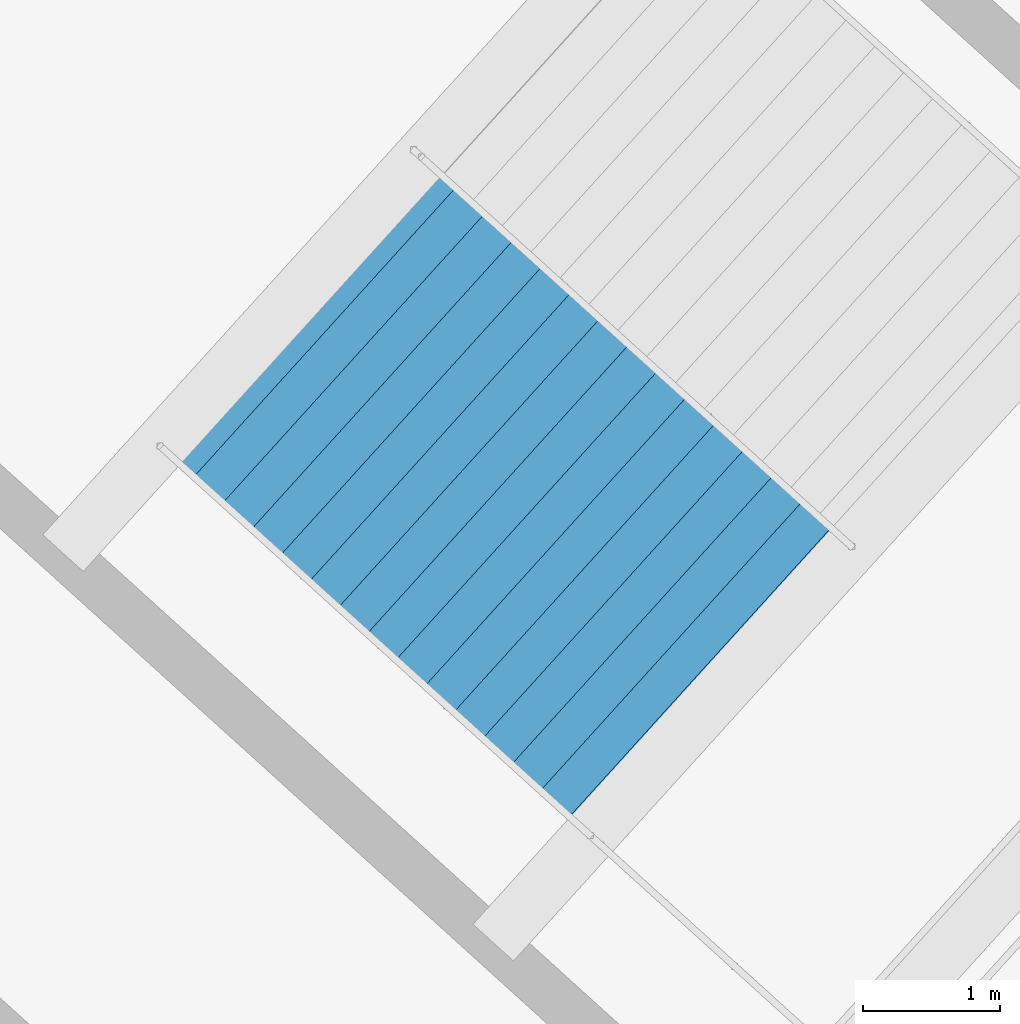
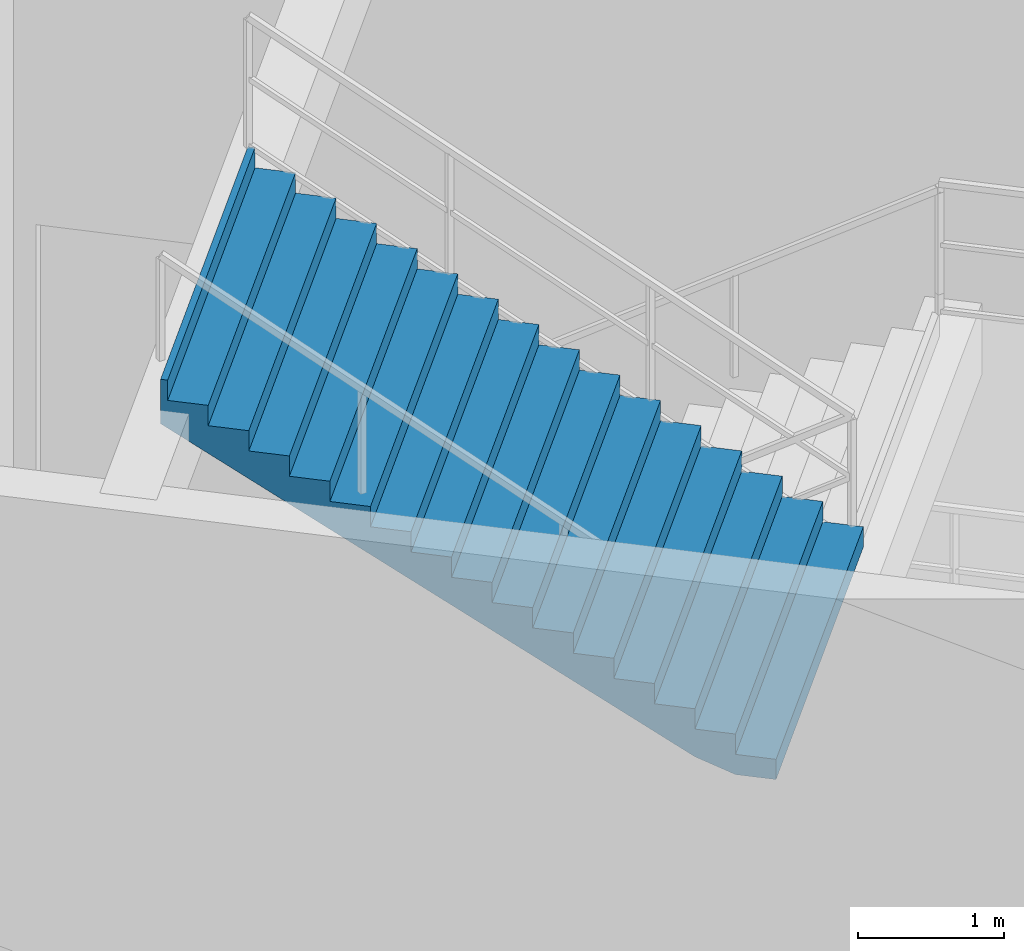
# One storey, part 140 of 186: 1 stair flight, 1 element without a shape of its own.
"""IFC4 building model written with IfcOpenShell, lengths in metres."""

from ifc_helpers import new_model, si_unit, direction, frame, origin, place, context, subcontext, project, spatial, polygons, material, type_object, element, aggregate, save


model = new_model("IFC4")

# Units and contexts
model_context = context("Model", 3, precision=1e-05, world=origin(), true_north=direction((0.0, 1.0)))
body_context = subcontext(model_context, "Body", "Model", "MODEL_VIEW")
ifc_project = project(units=[si_unit("LENGTHUNIT", "METRE"), si_unit("AREAUNIT", "SQUARE_METRE"), si_unit("VOLUMEUNIT", "CUBIC_METRE"), si_unit("PLANEANGLEUNIT", "RADIAN"), si_unit("MASSUNIT", "GRAM", prefix="KILO")], contexts=[model_context])

# Site, building, storey
site_placement = place(None, origin())
site = spatial("IfcSite", under=ifc_project, at=site_placement, CompositionType="ELEMENT")
building_placement = place(site_placement, origin())
building = spatial("IfcBuilding", under=site, at=building_placement, Name="Kazemori Nagisa Stadium", CompositionType="ELEMENT")
storey_placement = place(building_placement, frame((0.0, 0.0, 20.39990234375)))
storey = spatial("IfcBuildingStorey", under=building, at=storey_placement, Name="L04", CompositionType="ELEMENT", Elevation=20.39990234375)

# Stair, stair flight
ifc_material = material(Name="Concrete C36/45 (Fc36)", Category="concrete")
stair_type = type_object("IfcStairType", Name="Stair_CORE_32", PredefinedType="TWO_STRAIGHT_RUN_STAIR", material=ifc_material)
stair_placement = place(storey_placement, origin())
stair = element("IfcStair", 1, at=stair_placement, inside=storey, type_object=stair_type, Name="Exit stair ST03 L04", PredefinedType="TWO_STRAIGHT_RUN_STAIR")
stair_flight_type = type_object("IfcStairFlightType", Name="Flight_CORE_16", PredefinedType="STRAIGHT", material=ifc_material)
stair_flight_placement = place(storey_placement, frame((55.4609375, 42.593994140625, 2.72021484375), z_axis=(0.0, 0.0, 1.0), x_axis=(-0.741357156534, 0.671110696127, 0.0)))
stair_flight = element("IfcStairFlight", 2, at=stair_flight_placement, type_object=stair_flight_type, Name="Exit stair ST03 L04 flight 2", NumberOfRisers=16, NumberOfTreads=15, PredefinedType="STRAIGHT", RiserHeight=0.17, TreadLength=0.285, context=body_context, shape_type="Tessellation", body=[
    polygons([(0.0, -1.425048828125, 0.0), (0.0, -1.425048828125, 0.169921875), (0.284912109375, -1.425048828125, 0.169921875), (0.284912109375, -1.425048828125, 0.340087890625), (0.570068359375, -1.425048828125, 0.340087890625), (0.570068359375, -1.425048828125, 0.510009765625), (0.85498046875, -1.425048828125, 0.510009765625), (0.85498046875, -1.425048828125, 0.679931640625), (1.139892578125, -1.425048828125, 0.679931640625), (1.139892578125, -1.425048828125, 0.85009765625), (1.425048828125, -1.425048828125, 0.85009765625), (1.425048828125, -1.425048828125, 1.02001953125), (1.7099609375, -1.425048828125, 1.02001953125), (1.7099609375, -1.425048828125, 1.18994140625), (1.9951171875, -1.425048828125, 1.18994140625), (1.9951171875, -1.425048828125, 1.360107421875), (2.280029296875, -1.425048828125, 1.360107421875), (2.280029296875, -1.425048828125, 1.530029296875), (2.56494140625, -1.425048828125, 1.530029296875), (2.56494140625, -1.425048828125, 1.699951171875), (2.85009765625, -1.425048828125, 1.699951171875), (2.85009765625, -1.425048828125, 1.8701171875), (3.135009765625, -1.425048828125, 1.8701171875), (3.135009765625, -1.425048828125, 2.0400390625), (3.419921875, -1.425048828125, 2.0400390625), (3.419921875, -1.425048828125, 2.2099609375), (3.705078125, -1.425048828125, 2.2099609375), (3.705078125, -1.425048828125, 2.3798828125), (3.989990234375, -1.425048828125, 2.3798828125), (3.989990234375, -1.425048828125, 2.550048828125), (4.27490234375, -1.425048828125, 2.550048828125), (4.27490234375, -1.425048828125, 2.719970703125), (4.324951171875, -1.425048828125, 2.719970703125), (4.324951171875, -1.425048828125, 2.346923828125), (4.27490234375, -1.425048828125, 2.317138671875), (3.989990234375, -1.425048828125, 2.147216796875), (3.705078125, -1.425048828125, 1.977294921875), (3.419921875, -1.425048828125, 1.80712890625), (3.135009765625, -1.425048828125, 1.63720703125), (2.85009765625, -1.425048828125, 1.46728515625), (2.56494140625, -1.425048828125, 1.297119140625), (2.280029296875, -1.425048828125, 1.127197265625), (1.9951171875, -1.425048828125, 0.957275390625), (1.7099609375, -1.425048828125, 0.787109375), (1.425048828125, -1.425048828125, 0.6171875), (1.139892578125, -1.425048828125, 0.447265625), (0.85498046875, -1.425048828125, 0.277099609375), (0.570068359375, -1.425048828125, 0.107177734375), (0.284912109375, -1.425048828125, 0.0), (0.0, -0.08544921875, 0.0), (0.0, -0.08544921875, 0.169921875), (0.284912109375, -0.08544921875, 0.169921875), (0.284912109375, -0.08544921875, 0.340087890625), (0.570068359375, -0.08544921875, 0.340087890625), (0.570068359375, -0.08544921875, 0.510009765625), (0.85498046875, -0.08544921875, 0.510009765625), (0.85498046875, -0.08544921875, 0.679931640625), (1.139892578125, -0.08544921875, 0.679931640625), (1.139892578125, -0.08544921875, 0.85009765625), (1.425048828125, -0.08544921875, 0.85009765625), (1.425048828125, -0.08544921875, 1.02001953125), (1.7099609375, -0.08544921875, 1.02001953125), (1.7099609375, -0.08544921875, 1.18994140625), (1.9951171875, -0.08544921875, 1.18994140625), (1.9951171875, -0.08544921875, 1.360107421875), (2.280029296875, -0.08544921875, 1.360107421875), (2.280029296875, -0.08544921875, 1.530029296875), (2.56494140625, -0.08544921875, 1.530029296875), (2.56494140625, -0.08544921875, 1.699951171875), (2.85009765625, -0.08544921875, 1.699951171875), (2.85009765625, -0.08544921875, 1.8701171875), (3.135009765625, -0.08544921875, 1.8701171875), (3.135009765625, -0.08544921875, 2.0400390625), (3.419921875, -0.08544921875, 2.0400390625), (3.419921875, -0.08544921875, 2.2099609375), (3.705078125, -0.08544921875, 2.2099609375), (3.705078125, -0.08544921875, 2.3798828125), (3.989990234375, -0.08544921875, 2.3798828125), (3.989990234375, -0.08544921875, 2.550048828125), (4.27490234375, -0.08544921875, 2.550048828125), (4.27490234375, -0.08544921875, 2.719970703125), (4.324951171875, -0.08544921875, 2.719970703125), (4.324951171875, -0.08544921875, 2.346923828125), (4.27490234375, -0.08544921875, 2.317138671875), (3.989990234375, -0.08544921875, 2.147216796875), (3.705078125, -0.08544921875, 1.977294921875), (3.419921875, -0.08544921875, 1.80712890625), (3.135009765625, -0.08544921875, 1.63720703125), (2.85009765625, -0.08544921875, 1.46728515625), (2.56494140625, -0.08544921875, 1.297119140625), (2.280029296875, -0.08544921875, 1.127197265625), (1.9951171875, -0.08544921875, 0.957275390625), (1.7099609375, -0.08544921875, 0.787109375), (1.425048828125, -0.08544921875, 0.6171875), (1.139892578125, -0.08544921875, 0.447265625), (0.85498046875, -0.08544921875, 0.277099609375), (0.570068359375, -0.08544921875, 0.107177734375), (0.284912109375, -0.08544921875, 0.0), (0.0, 0.0, 0.0), (0.0, 0.0, 0.169921875), (0.284912109375, 0.0, 0.169921875), (0.284912109375, 0.0, 0.340087890625), (0.570068359375, 0.0, 0.340087890625), (0.570068359375, 0.0, 0.510009765625), (0.85498046875, 0.0, 0.510009765625), (0.85498046875, 0.0, 0.679931640625), (1.139892578125, 0.0, 0.679931640625), (1.139892578125, 0.0, 0.85009765625), (1.425048828125, 0.0, 0.85009765625), (1.425048828125, 0.0, 1.02001953125), (1.7099609375, 0.0, 1.02001953125), (1.7099609375, 0.0, 1.18994140625), (1.9951171875, 0.0, 1.18994140625), (1.9951171875, 0.0, 1.360107421875), (2.280029296875, 0.0, 1.360107421875), (2.280029296875, 0.0, 1.530029296875), (2.56494140625, 0.0, 1.530029296875), (2.56494140625, 0.0, 1.699951171875), (2.85009765625, 0.0, 1.699951171875), (2.85009765625, 0.0, 1.8701171875), (3.135009765625, 0.0, 1.8701171875), (3.135009765625, 0.0, 2.0400390625), (3.419921875, 0.0, 2.0400390625), (3.419921875, 0.0, 2.2099609375), (3.705078125, 0.0, 2.2099609375), (3.705078125, 0.0, 2.3798828125), (3.989990234375, 0.0, 2.3798828125), (3.989990234375, 0.0, 2.550048828125), (4.27490234375, 0.0, 2.550048828125), (4.27490234375, 0.0, 2.719970703125), (4.324951171875, 0.0, 2.719970703125), (4.324951171875, 0.0, 2.346923828125), (4.27490234375, 0.0, 2.317138671875), (3.989990234375, 0.0, 2.147216796875), (3.705078125, 0.0, 1.977294921875), (3.419921875, 0.0, 1.80712890625), (3.135009765625, 0.0, 1.63720703125), (2.85009765625, 0.0, 1.46728515625), (2.56494140625, 0.0, 1.297119140625), (2.280029296875, 0.0, 1.127197265625), (1.9951171875, 0.0, 0.957275390625), (1.7099609375, 0.0, 0.787109375), (1.425048828125, 0.0, 0.6171875), (1.139892578125, 0.0, 0.447265625), (0.85498046875, 0.0, 0.277099609375), (0.570068359375, 0.0, 0.107177734375), (0.284912109375, 0.0, 0.0), (0.0, 0.08544921875, 0.0), (0.0, 0.08544921875, 0.169921875), (0.284912109375, 0.08544921875, 0.169921875), (0.284912109375, 0.08544921875, 0.340087890625), (0.570068359375, 0.08544921875, 0.340087890625), (0.570068359375, 0.08544921875, 0.510009765625), (0.85498046875, 0.08544921875, 0.510009765625), (0.85498046875, 0.08544921875, 0.679931640625), (1.139892578125, 0.08544921875, 0.679931640625), (1.139892578125, 0.08544921875, 0.85009765625), (1.425048828125, 0.08544921875, 0.85009765625), (1.425048828125, 0.08544921875, 1.02001953125), (1.7099609375, 0.08544921875, 1.02001953125), (1.7099609375, 0.08544921875, 1.18994140625), (1.9951171875, 0.08544921875, 1.18994140625), (1.9951171875, 0.08544921875, 1.360107421875), (2.280029296875, 0.08544921875, 1.360107421875), (2.280029296875, 0.08544921875, 1.530029296875), (2.56494140625, 0.08544921875, 1.530029296875), (2.56494140625, 0.08544921875, 1.699951171875), (2.85009765625, 0.08544921875, 1.699951171875), (2.85009765625, 0.08544921875, 1.8701171875), (3.135009765625, 0.08544921875, 1.8701171875), (3.135009765625, 0.08544921875, 2.0400390625), (3.419921875, 0.08544921875, 2.0400390625), (3.419921875, 0.08544921875, 2.2099609375), (3.705078125, 0.08544921875, 2.2099609375), (3.705078125, 0.08544921875, 2.3798828125), (3.989990234375, 0.08544921875, 2.3798828125), (3.989990234375, 0.08544921875, 2.550048828125), (4.27490234375, 0.08544921875, 2.550048828125), (4.27490234375, 0.08544921875, 2.719970703125), (4.324951171875, 0.08544921875, 2.719970703125), (4.324951171875, 0.08544921875, 2.346923828125), (4.27490234375, 0.08544921875, 2.317138671875), (3.989990234375, 0.08544921875, 2.147216796875), (3.705078125, 0.08544921875, 1.977294921875), (3.419921875, 0.08544921875, 1.80712890625), (3.135009765625, 0.08544921875, 1.63720703125), (2.85009765625, 0.08544921875, 1.46728515625), (2.56494140625, 0.08544921875, 1.297119140625), (2.280029296875, 0.08544921875, 1.127197265625), (1.9951171875, 0.08544921875, 0.957275390625), (1.7099609375, 0.08544921875, 0.787109375), (1.425048828125, 0.08544921875, 0.6171875), (1.139892578125, 0.08544921875, 0.447265625), (0.85498046875, 0.08544921875, 0.277099609375), (0.570068359375, 0.08544921875, 0.107177734375), (0.284912109375, 0.08544921875, 0.0), (0.0, 1.425048828125, 0.0), (0.0, 1.425048828125, 0.169921875), (0.284912109375, 1.425048828125, 0.169921875), (0.284912109375, 1.425048828125, 0.340087890625), (0.570068359375, 1.425048828125, 0.340087890625), (0.570068359375, 1.425048828125, 0.510009765625), (0.85498046875, 1.425048828125, 0.510009765625), (0.85498046875, 1.425048828125, 0.679931640625), (1.139892578125, 1.425048828125, 0.679931640625), (1.139892578125, 1.425048828125, 0.85009765625), (1.425048828125, 1.425048828125, 0.85009765625), (1.425048828125, 1.425048828125, 1.02001953125), (1.7099609375, 1.425048828125, 1.02001953125), (1.7099609375, 1.425048828125, 1.18994140625), (1.9951171875, 1.425048828125, 1.18994140625), (1.9951171875, 1.425048828125, 1.360107421875), (2.280029296875, 1.425048828125, 1.360107421875), (2.280029296875, 1.425048828125, 1.530029296875), (2.56494140625, 1.425048828125, 1.530029296875), (2.56494140625, 1.425048828125, 1.699951171875), (2.85009765625, 1.425048828125, 1.699951171875), (2.85009765625, 1.425048828125, 1.8701171875), (3.135009765625, 1.425048828125, 1.8701171875), (3.135009765625, 1.425048828125, 2.0400390625), (3.419921875, 1.425048828125, 2.0400390625), (3.419921875, 1.425048828125, 2.2099609375), (3.705078125, 1.425048828125, 2.2099609375), (3.705078125, 1.425048828125, 2.3798828125), (3.989990234375, 1.425048828125, 2.3798828125), (3.989990234375, 1.425048828125, 2.550048828125), (4.27490234375, 1.425048828125, 2.550048828125), (4.27490234375, 1.425048828125, 2.719970703125), (4.324951171875, 1.425048828125, 2.719970703125), (4.324951171875, 1.425048828125, 2.346923828125), (4.27490234375, 1.425048828125, 2.317138671875), (3.989990234375, 1.425048828125, 2.147216796875), (3.705078125, 1.425048828125, 1.977294921875), (3.419921875, 1.425048828125, 1.80712890625), (3.135009765625, 1.425048828125, 1.63720703125), (2.85009765625, 1.425048828125, 1.46728515625), (2.56494140625, 1.425048828125, 1.297119140625), (2.280029296875, 1.425048828125, 1.127197265625), (1.9951171875, 1.425048828125, 0.957275390625), (1.7099609375, 1.425048828125, 0.787109375), (1.425048828125, 1.425048828125, 0.6171875), (1.139892578125, 1.425048828125, 0.447265625), (0.85498046875, 1.425048828125, 0.277099609375), (0.570068359375, 1.425048828125, 0.107177734375), (0.284912109375, 1.425048828125, 0.0)], [[[1, 2, 51]], [[1, 51, 50]], [[2, 3, 52]], [[2, 52, 51]], [[3, 4, 53]], [[3, 53, 52]], [[4, 5, 54]], [[4, 54, 53]], [[5, 6, 55]], [[5, 55, 54]], [[6, 7, 56]], [[6, 56, 55]], [[7, 8, 57]], [[7, 57, 56]], [[8, 9, 58]], [[8, 58, 57]], [[9, 10, 59]], [[9, 59, 58]], [[10, 11, 60]], [[10, 60, 59]], [[11, 12, 61]], [[11, 61, 60]], [[12, 13, 62]], [[12, 62, 61]], [[13, 14, 63]], [[13, 63, 62]], [[14, 15, 64]], [[14, 64, 63]], [[15, 16, 65]], [[15, 65, 64]], [[16, 17, 66]], [[16, 66, 65]], [[17, 18, 67]], [[17, 67, 66]], [[18, 19, 68]], [[18, 68, 67]], [[19, 20, 69]], [[19, 69, 68]], [[20, 21, 70]], [[20, 70, 69]], [[21, 22, 71]], [[21, 71, 70]], [[22, 23, 72]], [[22, 72, 71]], [[23, 24, 73]], [[23, 73, 72]], [[24, 25, 74]], [[24, 74, 73]], [[25, 26, 75]], [[25, 75, 74]], [[26, 27, 76]], [[26, 76, 75]], [[27, 28, 77]], [[27, 77, 76]], [[28, 29, 78]], [[28, 78, 77]], [[29, 30, 79]], [[29, 79, 78]], [[30, 31, 80]], [[30, 80, 79]], [[31, 32, 81]], [[31, 81, 80]], [[32, 33, 82]], [[32, 82, 81]], [[33, 34, 83]], [[33, 83, 82]], [[34, 35, 84]], [[34, 84, 83]], [[35, 36, 85]], [[35, 85, 84]], [[36, 37, 86]], [[36, 86, 85]], [[37, 38, 87]], [[37, 87, 86]], [[38, 39, 88]], [[38, 88, 87]], [[39, 40, 89]], [[39, 89, 88]], [[40, 41, 90]], [[40, 90, 89]], [[41, 42, 91]], [[41, 91, 90]], [[42, 43, 92]], [[42, 92, 91]], [[43, 44, 93]], [[43, 93, 92]], [[44, 45, 94]], [[44, 94, 93]], [[45, 46, 95]], [[45, 95, 94]], [[46, 47, 96]], [[46, 96, 95]], [[47, 48, 97]], [[47, 97, 96]], [[48, 49, 98]], [[48, 98, 97]], [[49, 1, 50]], [[49, 50, 98]], [[50, 51, 100]], [[50, 100, 99]], [[51, 52, 101]], [[51, 101, 100]], [[52, 53, 102]], [[52, 102, 101]], [[53, 54, 103]], [[53, 103, 102]], [[54, 55, 104]], [[54, 104, 103]], [[55, 56, 105]], [[55, 105, 104]], [[56, 57, 106]], [[56, 106, 105]], [[57, 58, 107]], [[57, 107, 106]], [[58, 59, 108]], [[58, 108, 107]], [[59, 60, 109]], [[59, 109, 108]], [[60, 61, 110]], [[60, 110, 109]], [[61, 62, 111]], [[61, 111, 110]], [[62, 63, 112]], [[62, 112, 111]], [[63, 64, 113]], [[63, 113, 112]], [[64, 65, 114]], [[64, 114, 113]], [[65, 66, 115]], [[65, 115, 114]], [[66, 67, 116]], [[66, 116, 115]], [[67, 68, 117]], [[67, 117, 116]], [[68, 69, 118]], [[68, 118, 117]], [[69, 70, 119]], [[69, 119, 118]], [[70, 71, 120]], [[70, 120, 119]], [[71, 72, 121]], [[71, 121, 120]], [[72, 73, 122]], [[72, 122, 121]], [[73, 74, 123]], [[73, 123, 122]], [[74, 75, 124]], [[74, 124, 123]], [[75, 76, 125]], [[75, 125, 124]], [[76, 77, 126]], [[76, 126, 125]], [[77, 78, 127]], [[77, 127, 126]], [[78, 79, 128]], [[78, 128, 127]], [[79, 80, 129]], [[79, 129, 128]], [[80, 81, 130]], [[80, 130, 129]], [[81, 82, 131]], [[81, 131, 130]], [[82, 83, 132]], [[82, 132, 131]], [[83, 84, 133]], [[83, 133, 132]], [[84, 85, 134]], [[84, 134, 133]], [[85, 86, 135]], [[85, 135, 134]], [[86, 87, 136]], [[86, 136, 135]], [[87, 88, 137]], [[87, 137, 136]], [[88, 89, 138]], [[88, 138, 137]], [[89, 90, 139]], [[89, 139, 138]], [[90, 91, 140]], [[90, 140, 139]], [[91, 92, 141]], [[91, 141, 140]], [[92, 93, 142]], [[92, 142, 141]], [[93, 94, 143]], [[93, 143, 142]], [[94, 95, 144]], [[94, 144, 143]], [[95, 96, 145]], [[95, 145, 144]], [[96, 97, 146]], [[96, 146, 145]], [[97, 98, 147]], [[97, 147, 146]], [[98, 50, 99]], [[98, 99, 147]], [[99, 100, 149]], [[99, 149, 148]], [[100, 101, 150]], [[100, 150, 149]], [[101, 102, 151]], [[101, 151, 150]], [[102, 103, 152]], [[102, 152, 151]], [[103, 104, 153]], [[103, 153, 152]], [[104, 105, 154]], [[104, 154, 153]], [[105, 106, 155]], [[105, 155, 154]], [[106, 107, 156]], [[106, 156, 155]], [[107, 108, 157]], [[107, 157, 156]], [[108, 109, 158]], [[108, 158, 157]], [[109, 110, 159]], [[109, 159, 158]], [[110, 111, 160]], [[110, 160, 159]], [[111, 112, 161]], [[111, 161, 160]], [[112, 113, 162]], [[112, 162, 161]], [[113, 114, 163]], [[113, 163, 162]], [[114, 115, 164]], [[114, 164, 163]], [[115, 116, 165]], [[115, 165, 164]], [[116, 117, 166]], [[116, 166, 165]], [[117, 118, 167]], [[117, 167, 166]], [[118, 119, 168]], [[118, 168, 167]], [[119, 120, 169]], [[119, 169, 168]], [[120, 121, 170]], [[120, 170, 169]], [[121, 122, 171]], [[121, 171, 170]], [[122, 123, 172]], [[122, 172, 171]], [[123, 124, 173]], [[123, 173, 172]], [[124, 125, 174]], [[124, 174, 173]], [[125, 126, 175]], [[125, 175, 174]], [[126, 127, 176]], [[126, 176, 175]], [[127, 128, 177]], [[127, 177, 176]], [[128, 129, 178]], [[128, 178, 177]], [[129, 130, 179]], [[129, 179, 178]], [[130, 131, 180]], [[130, 180, 179]], [[131, 132, 181]], [[131, 181, 180]], [[132, 133, 182]], [[132, 182, 181]], [[133, 134, 183]], [[133, 183, 182]], [[134, 135, 184]], [[134, 184, 183]], [[135, 136, 185]], [[135, 185, 184]], [[136, 137, 186]], [[136, 186, 185]], [[137, 138, 187]], [[137, 187, 186]], [[138, 139, 188]], [[138, 188, 187]], [[139, 140, 189]], [[139, 189, 188]], [[140, 141, 190]], [[140, 190, 189]], [[141, 142, 191]], [[141, 191, 190]], [[142, 143, 192]], [[142, 192, 191]], [[143, 144, 193]], [[143, 193, 192]], [[144, 145, 194]], [[144, 194, 193]], [[145, 146, 195]], [[145, 195, 194]], [[146, 147, 196]], [[146, 196, 195]], [[147, 99, 148]], [[147, 148, 196]], [[148, 149, 198]], [[148, 198, 197]], [[149, 150, 199]], [[149, 199, 198]], [[150, 151, 200]], [[150, 200, 199]], [[151, 152, 201]], [[151, 201, 200]], [[152, 153, 202]], [[152, 202, 201]], [[153, 154, 203]], [[153, 203, 202]], [[154, 155, 204]], [[154, 204, 203]], [[155, 156, 205]], [[155, 205, 204]], [[156, 157, 206]], [[156, 206, 205]], [[157, 158, 207]], [[157, 207, 206]], [[158, 159, 208]], [[158, 208, 207]], [[159, 160, 209]], [[159, 209, 208]], [[160, 161, 210]], [[160, 210, 209]], [[161, 162, 211]], [[161, 211, 210]], [[162, 163, 212]], [[162, 212, 211]], [[163, 164, 213]], [[163, 213, 212]], [[164, 165, 214]], [[164, 214, 213]], [[165, 166, 215]], [[165, 215, 214]], [[166, 167, 216]], [[166, 216, 215]], [[167, 168, 217]], [[167, 217, 216]], [[168, 169, 218]], [[168, 218, 217]], [[169, 170, 219]], [[169, 219, 218]], [[170, 171, 220]], [[170, 220, 219]], [[171, 172, 221]], [[171, 221, 220]], [[172, 173, 222]], [[172, 222, 221]], [[173, 174, 223]], [[173, 223, 222]], [[174, 175, 224]], [[174, 224, 223]], [[175, 176, 225]], [[175, 225, 224]], [[176, 177, 226]], [[176, 226, 225]], [[177, 178, 227]], [[177, 227, 226]], [[178, 179, 228]], [[178, 228, 227]], [[179, 180, 229]], [[179, 229, 228]], [[180, 181, 230]], [[180, 230, 229]], [[181, 182, 231]], [[181, 231, 230]], [[182, 183, 232]], [[182, 232, 231]], [[183, 184, 233]], [[183, 233, 232]], [[184, 185, 234]], [[184, 234, 233]], [[185, 186, 235]], [[185, 235, 234]], [[186, 187, 236]], [[186, 236, 235]], [[187, 188, 237]], [[187, 237, 236]], [[188, 189, 238]], [[188, 238, 237]], [[189, 190, 239]], [[189, 239, 238]], [[190, 191, 240]], [[190, 240, 239]], [[191, 192, 241]], [[191, 241, 240]], [[192, 193, 242]], [[192, 242, 241]], [[193, 194, 243]], [[193, 243, 242]], [[194, 195, 244]], [[194, 244, 243]], [[195, 196, 245]], [[195, 245, 244]], [[196, 148, 197]], [[196, 197, 245]], [[3, 2, 1]], [[197, 198, 199]], [[49, 3, 1]], [[197, 199, 245]], [[48, 3, 49]], [[245, 199, 244]], [[5, 3, 48]], [[244, 199, 201]], [[5, 4, 3]], [[199, 200, 201]], [[47, 5, 48]], [[244, 201, 243]], [[7, 5, 47]], [[243, 201, 203]], [[7, 6, 5]], [[201, 202, 203]], [[46, 7, 47]], [[243, 203, 242]], [[9, 7, 46]], [[242, 203, 205]], [[9, 8, 7]], [[203, 204, 205]], [[45, 9, 46]], [[242, 205, 241]], [[11, 9, 45]], [[241, 205, 207]], [[11, 10, 9]], [[205, 206, 207]], [[44, 11, 45]], [[241, 207, 240]], [[13, 11, 44]], [[240, 207, 209]], [[13, 12, 11]], [[207, 208, 209]], [[43, 13, 44]], [[240, 209, 239]], [[15, 13, 43]], [[239, 209, 211]], [[15, 14, 13]], [[209, 210, 211]], [[42, 15, 43]], [[239, 211, 238]], [[17, 15, 42]], [[238, 211, 213]], [[17, 16, 15]], [[211, 212, 213]], [[41, 17, 42]], [[238, 213, 237]], [[19, 17, 41]], [[237, 213, 215]], [[19, 18, 17]], [[213, 214, 215]], [[40, 19, 41]], [[237, 215, 236]], [[21, 19, 40]], [[236, 215, 217]], [[21, 20, 19]], [[215, 216, 217]], [[39, 21, 40]], [[236, 217, 235]], [[23, 21, 39]], [[235, 217, 219]], [[23, 22, 21]], [[217, 218, 219]], [[38, 23, 39]], [[235, 219, 234]], [[25, 23, 38]], [[234, 219, 221]], [[25, 24, 23]], [[219, 220, 221]], [[37, 25, 38]], [[234, 221, 233]], [[27, 25, 37]], [[233, 221, 223]], [[27, 26, 25]], [[221, 222, 223]], [[36, 27, 37]], [[233, 223, 232]], [[29, 27, 36]], [[232, 223, 225]], [[29, 28, 27]], [[223, 224, 225]], [[35, 29, 36]], [[232, 225, 231]], [[31, 29, 35]], [[231, 225, 227]], [[31, 30, 29]], [[225, 226, 227]], [[34, 31, 35]], [[231, 227, 230]], [[33, 31, 34]], [[230, 227, 229]], [[33, 32, 31]], [[227, 228, 229]]], closed=True),
])
aggregate(stair, [stair_flight])

save(model, "model.ifc")
